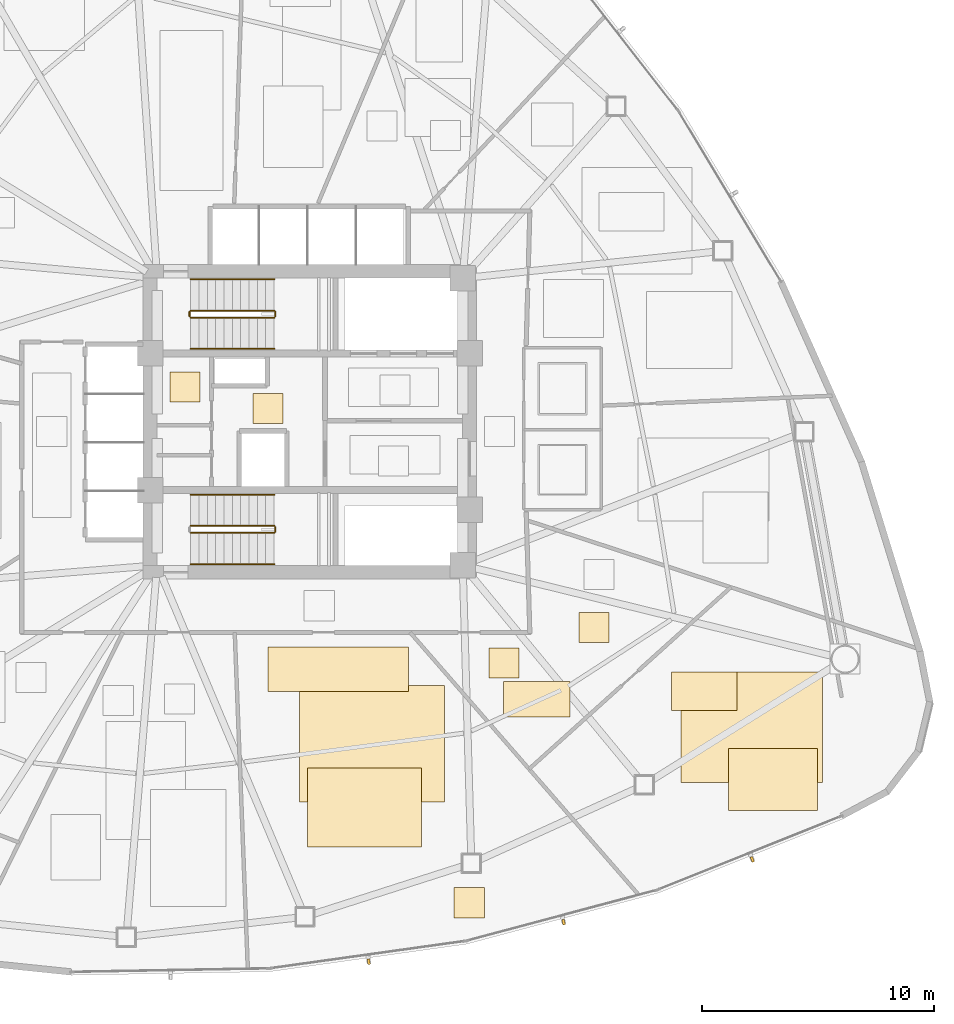
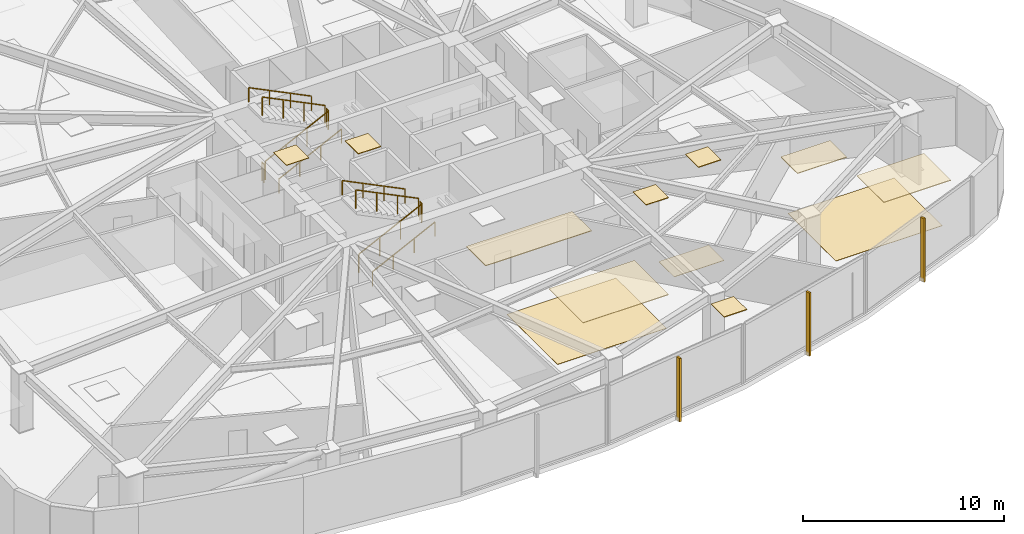
# One storey, part 15 of 17: 12 coverings, 11 railings, 3 shading devices.
"""IFC4 building model written with IfcOpenShell, lengths in metres."""

import ifcopenshell
import ifcopenshell.guid

model = None  # the IFC model being written
_history = None  # IfcOwnerHistory: only IFC2X3 demands one
_inside = {}  # id of a spatial element -> (the spatial element, [elements in it])
_under = {}  # id of a project, library or spatial element -> (it, [spatial elements below it])
_declared = {}  # id of a project -> (the project, [libraries it declares])
_typed = {}  # id of a type object -> (the type object, [elements of that type])
_made_of = {}  # id of a material, layer set ... -> (it, [elements and type objects made of it])


def new_model(schema):
    """Start an empty IFC model of exactly this schema.

    Asked for "IFC4X3", IfcOpenShell would pick the latest addendum, in which some entities
    have other attributes; the version numbers below select the first issue.
    IFC2X3 requires an IfcOwnerHistory on every rooted entity: one is made here for all.
    """
    global model, _history
    if schema == "IFC4X3":
        model = ifcopenshell.file(schema_version=(4, 3, 0, 0))
    else:
        model = ifcopenshell.file(schema=schema)
    _inside.clear()
    _under.clear()
    _declared.clear()
    _typed.clear()
    _made_of.clear()
    _history = None
    if model.schema == "IFC2X3":
        org = make("IfcOrganization", Name="unknown")
        user = make(
            "IfcPersonAndOrganization",
            ThePerson=make("IfcPerson", FamilyName="unknown"),
            TheOrganization=org,
        )
        app = make(
            "IfcApplication",
            ApplicationDeveloper=org,
            Version="unknown",
            ApplicationFullName="unknown",
            ApplicationIdentifier="unknown",
        )
        _history = make(
            "IfcOwnerHistory",
            OwningUser=user,
            OwningApplication=app,
            ChangeAction="ADDED",
            CreationDate=0,
        )
    return model


def make(cls, **values):
    """One entity of the class cls with the attributes given. An attribute that is None is left unset."""
    return model.create_entity(
        cls, **{name: value for name, value in values.items() if value is not None}
    )


def rooted(cls, **values):
    """An entity with a GlobalId (a new one), such as an element, a storey or a relation."""
    return make(cls, GlobalId=ifcopenshell.guid.new(), OwnerHistory=_history, **values)


def si_unit(unit_type, name, prefix=None):
    """IfcSIUnit, for example si_unit("LENGTHUNIT", "METRE", prefix="MILLI")."""
    return make("IfcSIUnit", UnitType=unit_type, Prefix=prefix, Name=name)


def assignment(units):
    """IfcUnitAssignment: the units of a project."""
    return None if units is None else make("IfcUnitAssignment", Units=units)


def point(xyz):
    """IfcCartesianPoint."""
    return None if xyz is None else make("IfcCartesianPoint", Coordinates=xyz)


def direction(xyz):
    """IfcDirection."""
    return None if xyz is None else make("IfcDirection", DirectionRatios=xyz)


def frame(location, z_axis=None, x_axis=None):
    """IfcAxis2Placement3D, a coordinate frame: its origin and axes. An axis left out is left unset."""
    return make(
        "IfcAxis2Placement3D",
        Location=point(location),
        Axis=direction(z_axis),
        RefDirection=direction(x_axis),
    )


def frame_2d(location, x_axis=None):
    """IfcAxis2Placement2D, a coordinate frame in the plane: its origin and x axis."""
    return make(
        "IfcAxis2Placement2D", Location=point(location), RefDirection=direction(x_axis)
    )


def origin():
    """The frame at (0, 0, 0) with its axes left unset."""
    return frame((0.0, 0.0, 0.0))


def origin_2d():
    """The frame at (0, 0) in the plane with its x axis left unset."""
    return frame_2d((0.0, 0.0))


def place(relative_to, where):
    """IfcLocalPlacement: puts the frame where relative to a parent placement (None: the world)."""
    return make(
        "IfcLocalPlacement", PlacementRelTo=relative_to, RelativePlacement=where
    )


def context(
    kind, dimensions, precision=None, world=None, true_north=None, identifier=None
):
    """IfcGeometricRepresentationContext, for example the 3D "Model" context."""
    return make(
        "IfcGeometricRepresentationContext",
        ContextIdentifier=identifier,
        ContextType=kind,
        CoordinateSpaceDimension=dimensions,
        Precision=precision,
        WorldCoordinateSystem=world,
        TrueNorth=true_north,
    )


def subcontext(parent, identifier, kind, view, scale=None):
    """IfcGeometricRepresentationSubContext, for example "Body" below "Model"."""
    return make(
        "IfcGeometricRepresentationSubContext",
        ContextIdentifier=identifier,
        ContextType=kind,
        ParentContext=parent,
        TargetScale=scale,
        TargetView=view,
    )


def project(units=None, contexts=None):
    """IfcProject with its units and contexts."""
    return rooted(
        "IfcProject",
        Name="project",
        RepresentationContexts=contexts,
        UnitsInContext=assignment(units),
    )


def spatial(cls, under=None, at=None, **own):
    """A site, building, storey or space (cls), placed at a placement, below another one or the project."""
    s = rooted(cls, ObjectPlacement=at, **own)
    if under is not None:
        _under.setdefault(under.id(), (under, []))[1].append(s)
    return s


def polyline(points):
    """IfcPolyline through the points."""
    return make("IfcPolyline", Points=[point(p) for p in points])


def profile(cls, at=None, kind="AREA", **sizes):
    """A parametric profile (cls). Its sizes go by their IFC names, for example OverallWidth=200.0."""
    return make(cls, ProfileType=kind, Position=at, **sizes)


def rectangle(**sizes):
    """IfcRectangleProfileDef."""
    return profile("IfcRectangleProfileDef", **sizes)


def outline(outer, holes=None, kind="AREA"):
    """IfcArbitraryClosedProfileDef: a profile drawn as a closed curve; with holes, ...WithVoids."""
    if holes is None:
        return make("IfcArbitraryClosedProfileDef", ProfileType=kind, OuterCurve=outer)
    return make(
        "IfcArbitraryProfileDefWithVoids",
        ProfileType=kind,
        OuterCurve=outer,
        InnerCurves=holes,
    )


def extrude(swept, where, along, depth):
    """IfcExtrudedAreaSolid: the profile swept, set in the frame where, extruded along a direction by depth."""
    return make(
        "IfcExtrudedAreaSolid",
        SweptArea=swept,
        Position=where,
        ExtrudedDirection=direction(along),
        Depth=depth,
    )


def shape(context_of_items, identifier, shape_type, items):
    """IfcShapeRepresentation: the items that make up one representation, for example the "Body"."""
    return make(
        "IfcShapeRepresentation",
        ContextOfItems=context_of_items,
        RepresentationIdentifier=identifier,
        RepresentationType=shape_type,
        Items=items,
    )


def source(mapping_origin, context_of_items, identifier, shape_type, items):
    """IfcRepresentationMap: a shape defined once, which mapped items show again and again."""
    return make(
        "IfcRepresentationMap",
        MappingOrigin=mapping_origin,
        MappedRepresentation=shape(context_of_items, identifier, shape_type, items),
    )


def transform(
    local_origin,
    x_axis=None,
    y_axis=None,
    z_axis=None,
    scale=None,
    scale2=None,
    scale3=None,
    uniform=True,
):
    """IfcCartesianTransformationOperator3D, or its non-uniform kind. x_axis, y_axis, z_axis: its Axis1, 2, 3."""
    if uniform:
        return make(
            "IfcCartesianTransformationOperator3D",
            Axis1=direction(x_axis),
            Axis2=direction(y_axis),
            LocalOrigin=point(local_origin),
            Scale=scale,
            Axis3=direction(z_axis),
        )
    return make(
        "IfcCartesianTransformationOperator3DnonUniform",
        Axis1=direction(x_axis),
        Axis2=direction(y_axis),
        LocalOrigin=point(local_origin),
        Scale=scale,
        Axis3=direction(z_axis),
        Scale2=scale2,
        Scale3=scale3,
    )


def mapped(mapping_source, mapping_target):
    """IfcMappedItem: shows the shape of a source again, moved by a transform."""
    return make(
        "IfcMappedItem", MappingSource=mapping_source, MappingTarget=mapping_target
    )


def material(Name=None, Category=None):
    """IfcMaterial."""
    return make("IfcMaterial", Name=Name, Category=Category)


def layer(
    of_material, thickness, ventilated=None, Name=None, Category=None, Priority=None
):
    """IfcMaterialLayer: one layer of a wall or slab, of a material (None: an air gap)."""
    return make(
        "IfcMaterialLayer",
        Material=of_material,
        LayerThickness=thickness,
        IsVentilated=ventilated,
        Name=Name,
        Category=Category,
        Priority=Priority,
    )


def layer_set(layers, Name=None):
    """IfcMaterialLayerSet."""
    return make("IfcMaterialLayerSet", MaterialLayers=layers, LayerSetName=Name)


def made_of(thing, what):
    """Note that an element or type object is made of a material, layer set ...; save() writes the relation."""
    if what is not None:
        _made_of.setdefault(what.id(), (what, []))[1].append(thing)
    return thing


def type_object(cls, material=None, **own):
    """A type object (cls), such as IfcWallType, which elements share."""
    return made_of(rooted(cls, **own), material)


def type_shapes(of_type, sources):
    """Give a type object the sources (RepresentationMaps) that its elements show as mapped items."""
    of_type.RepresentationMaps = sources


def element(
    cls,
    number,
    at=None,
    inside=None,
    cuts=None,
    type_object=None,
    material=None,
    context=None,
    identifier="Body",
    shape_type=None,
    held_by="IfcProductDefinitionShape",
    body=None,
    shapes=None,
    **own,
):
    """One element of the class cls, such as IfcWall. Its Tag is "e" and its number.

    at: its placement. inside: the storey or other place that contains it. cuts: it is an
    opening in that element (IfcRelVoidsElement). A single representation is given by context,
    identifier, shape_type and body (its items); several are given by shapes. held_by: the class
    of the entity that holds the representations. save() writes the other relations.
    """
    e = rooted(cls, Tag="e%d" % number, ObjectPlacement=at, **own)
    if body is not None:
        shapes = [shape(context, identifier, shape_type, body)]
    if shapes is not None:
        e.Representation = make(held_by, Representations=shapes)
    if inside is not None:
        _inside.setdefault(inside.id(), (inside, []))[1].append(e)
    if cuts is not None:
        rooted(
            "IfcRelVoidsElement", RelatingBuildingElement=cuts, RelatedOpeningElement=e
        )
    if type_object is not None:
        _typed.setdefault(type_object.id(), (type_object, []))[1].append(e)
    return made_of(e, material)


def aggregate(whole, parts):
    """IfcRelAggregates: a whole, such as a stair, and the parts it consists of."""
    return rooted("IfcRelAggregates", RelatingObject=whole, RelatedObjects=parts)


def save(model, path):
    """Write the relations noted so far, then the file.

    IfcRelAggregates (storeys below a building ...), IfcRelContainedInSpatialStructure (elements
    in a storey), IfcRelDefinesByType, IfcRelAssociatesMaterial and IfcRelDeclares: one each for
    every whole, place, type object, material and project.
    """
    for whole, parts in _under.values():
        aggregate(whole, parts)
    for where, things in _inside.values():
        rooted(
            "IfcRelContainedInSpatialStructure",
            RelatedElements=things,
            RelatingStructure=where,
        )
    for kind, things in _typed.values():
        rooted("IfcRelDefinesByType", RelatedObjects=things, RelatingType=kind)
    for what, things in _made_of.values():
        rooted("IfcRelAssociatesMaterial", RelatedObjects=things, RelatingMaterial=what)
    for by, libraries in _declared.values():
        rooted("IfcRelDeclares", RelatingContext=by, RelatedDefinitions=libraries)
    model.write(path)


model = new_model("IFC4")

# Units and contexts
model_context = context("Model", 3, precision=1e-05, world=origin(), true_north=direction((0.0, 1.0)))
body_context = subcontext(model_context, "Body", "Model", "MODEL_VIEW")
ifc_project = project(units=[si_unit("LENGTHUNIT", "METRE"), si_unit("AREAUNIT", "SQUARE_METRE"), si_unit("VOLUMEUNIT", "CUBIC_METRE"), si_unit("PLANEANGLEUNIT", "RADIAN"), si_unit("MASSUNIT", "GRAM", prefix="KILO")], contexts=[model_context])

# Site, building, storey
site_placement = place(None, origin())
site = spatial("IfcSite", under=ifc_project, at=site_placement, CompositionType="ELEMENT")
building_placement = place(site_placement, origin())
building = spatial("IfcBuilding", under=site, at=building_placement, Name="Tavelor Broadcast Tower", CompositionType="ELEMENT")
storey_placement = place(building_placement, frame((0.0, 0.0, 43.199951171875)))
storey = spatial("IfcBuildingStorey", under=building, at=storey_placement, Name="L09", CompositionType="ELEMENT", Elevation=43.199951171875)

# Railings
ifc_material_1 = material(Name="Steel S355", Category="steel")
railing_type_1 = type_object("IfcRailingType", Name="Continuous Brushed Stainless Handrail 900 mm", PredefinedType="HANDRAIL", material=ifc_material_1)
railing_1_placement = place(storey_placement, frame((44.85009765625, 48.14990234375, 0.17724609375)))
element("IfcRailing", 1, at=railing_1_placement, inside=storey, type_object=railing_type_1, Name="L09 ST1 stair handrail 1", PredefinedType="HANDRAIL", context=body_context, shape_type="SweptSolid", body=[
    extrude(rectangle(XDim=0.048095703125, YDim=0.048095703125, at=origin_2d()), frame((0.0, 0.0, 0.8759765625), z_axis=(0.897124305991, 0.0, 0.441778201817), x_axis=(0.0, 1.0, 0.0)), (0.0, 0.0, 1.0), 4.0126953125),
    extrude(rectangle(XDim=0.0419921875, YDim=0.0419921875, at=origin_2d()), origin(), (0.0, 0.0, 1.0), 0.851806640625),
    extrude(rectangle(XDim=0.0419921875, YDim=0.0419921875, at=origin_2d()), frame((1.199951171875, 0.0, 0.5908203125)), (0.0, 0.0, 1.0), 0.851806640625),
    extrude(rectangle(XDim=0.0419921875, YDim=0.0419921875, at=origin_2d()), frame((2.39990234375, 0.0, 1.181884765625)), (0.0, 0.0, 1.0), 0.851806640625),
    extrude(rectangle(XDim=0.0419921875, YDim=0.0419921875, at=origin_2d()), frame((3.599853515625, 0.0, 1.772705078125)), (0.0, 0.0, 1.0), 0.851806640625),
])
railing_2_placement = place(storey_placement, frame((48.449951171875, 51.14990234375, 2.12744140625)))
element("IfcRailing", 2, at=railing_2_placement, inside=storey, type_object=railing_type_1, Name="L09 ST1 stair handrail 2", PredefinedType="HANDRAIL", context=body_context, shape_type="SweptSolid", body=[
    extrude(rectangle(XDim=0.048095703125, YDim=0.048095703125, at=origin_2d()), frame((0.0, 0.0, 0.8759765625), z_axis=(-0.897124305991, 0.0, 0.441778201817), x_axis=(0.0, -1.0, 0.0)), (0.0, 0.0, 1.0), 4.0126953125),
    extrude(rectangle(XDim=0.0419921875, YDim=0.0419921875, at=origin_2d()), origin(), (0.0, 0.0, 1.0), 0.851806640625),
    extrude(rectangle(XDim=0.0419921875, YDim=0.0419921875, at=origin_2d()), frame((-1.199951171875, 0.0, 0.5908203125)), (0.0, 0.0, 1.0), 0.851806640625),
    extrude(rectangle(XDim=0.0419921875, YDim=0.0419921875, at=origin_2d()), frame((-2.39990234375, 0.0, 1.181884765625)), (0.0, 0.0, 1.0), 0.851806640625),
    extrude(rectangle(XDim=0.0419921875, YDim=0.0419921875, at=origin_2d()), frame((-3.599853515625, 0.0, 1.772705078125)), (0.0, 0.0, 1.0), 0.851806640625),
])
railing_3_placement = place(storey_placement, frame((44.85009765625, 38.85009765625, 0.17724609375)))
element("IfcRailing", 3, at=railing_3_placement, inside=storey, type_object=railing_type_1, Name="L09 ST2 stair handrail 1", PredefinedType="HANDRAIL", context=body_context, shape_type="SweptSolid", body=[
    extrude(rectangle(XDim=0.048095703125, YDim=0.048095703125, at=origin_2d()), frame((0.0, 0.0, 0.8759765625), z_axis=(0.897124305991, 0.0, 0.441778201817), x_axis=(0.0, 1.0, 0.0)), (0.0, 0.0, 1.0), 4.0126953125),
    extrude(rectangle(XDim=0.0419921875, YDim=0.0419921875, at=origin_2d()), origin(), (0.0, 0.0, 1.0), 0.851806640625),
    extrude(rectangle(XDim=0.0419921875, YDim=0.0419921875, at=origin_2d()), frame((1.199951171875, 0.0, 0.5908203125)), (0.0, 0.0, 1.0), 0.851806640625),
    extrude(rectangle(XDim=0.0419921875, YDim=0.0419921875, at=origin_2d()), frame((2.39990234375, 0.0, 1.181884765625)), (0.0, 0.0, 1.0), 0.851806640625),
    extrude(rectangle(XDim=0.0419921875, YDim=0.0419921875, at=origin_2d()), frame((3.599853515625, 0.0, 1.772705078125)), (0.0, 0.0, 1.0), 0.851806640625),
])
railing_4_placement = place(storey_placement, frame((48.449951171875, 41.85009765625, 2.12744140625)))
element("IfcRailing", 4, at=railing_4_placement, inside=storey, type_object=railing_type_1, Name="L09 ST2 stair handrail 2", PredefinedType="HANDRAIL", context=body_context, shape_type="SweptSolid", body=[
    extrude(rectangle(XDim=0.048095703125, YDim=0.048095703125, at=origin_2d()), frame((0.0, 0.0, 0.8759765625), z_axis=(-0.897124305991, 0.0, 0.441778201817), x_axis=(0.0, -1.0, 0.0)), (0.0, 0.0, 1.0), 4.0126953125),
    extrude(rectangle(XDim=0.0419921875, YDim=0.0419921875, at=origin_2d()), origin(), (0.0, 0.0, 1.0), 0.851806640625),
    extrude(rectangle(XDim=0.0419921875, YDim=0.0419921875, at=origin_2d()), frame((-1.199951171875, 0.0, 0.5908203125)), (0.0, 0.0, 1.0), 0.851806640625),
    extrude(rectangle(XDim=0.0419921875, YDim=0.0419921875, at=origin_2d()), frame((-2.39990234375, 0.0, 1.181884765625)), (0.0, 0.0, 1.0), 0.851806640625),
    extrude(rectangle(XDim=0.0419921875, YDim=0.0419921875, at=origin_2d()), frame((-3.599853515625, 0.0, 1.772705078125)), (0.0, 0.0, 1.0), 0.851806640625),
])

# Coverings
ifc_material_2 = material(Name="Acoustic Nylon Carpet Tile")
ifc_layer_1 = layer(ifc_material_2, 0.02001953125)
ifc_layer_set_1 = layer_set([ifc_layer_1], Name="Acoustic Nylon Carpet Tile")
covering_type_1 = type_object("IfcCoveringType", Name="Heavy-Duty Acoustic Broadcast Carpet Tile 20 mm", PredefinedType="FLOORING", material=ifc_layer_set_1)
covering_1_placement = place(storey_placement, origin())
element("IfcCovering", 5, at=covering_1_placement, inside=storey, type_object=covering_type_1, Name="L09 Broadcast Floor Finish 0107", PredefinedType="FLOORING", context=body_context, shape_type="SweptSolid", body=[
    extrude(outline(polyline([(49.545166015625, 28.576904296875), (55.811279296875, 28.576904296875), (55.811279296875, 33.599609375), (49.545166015625, 33.599609375), (49.545166015625, 28.576904296875)])), origin(), (0.0, 0.0, 1.0), 0.02001953125),
])
covering_2_placement = place(storey_placement, origin())
element("IfcCovering", 6, at=covering_2_placement, inside=storey, type_object=covering_type_1, Name="L09 Broadcast Floor Finish 0117", PredefinedType="FLOORING", context=body_context, shape_type="SweptSolid", body=[
    extrude(outline(polyline([(66.020751953125, 29.42236328125), (72.1337890625, 29.42236328125), (72.1337890625, 34.1953125), (66.020751953125, 34.1953125), (66.020751953125, 29.42236328125)])), origin(), (0.0, 0.0, 1.0), 0.02001953125),
])
covering_3_placement = place(storey_placement, origin())
element("IfcCovering", 7, at=covering_3_placement, inside=storey, type_object=covering_type_1, Name="L09 Broadcast Floor Finish 0118", PredefinedType="FLOORING", context=body_context, shape_type="SweptSolid", body=[
    extrude(outline(polyline([(58.370361328125, 32.24365234375), (61.231201171875, 32.24365234375), (61.231201171875, 33.7802734375), (58.370361328125, 33.7802734375), (58.370361328125, 32.24365234375)])), origin(), (0.0, 0.0, 1.0), 0.02001953125),
])
ifc_material_3 = material(Name="Architectural Anodized Aluminium", Category="aluminium")
ifc_layer_2 = layer(ifc_material_3, 0.030029296875)
ifc_layer_set_2 = layer_set([ifc_layer_2], Name="Architectural Anodized Aluminium")
covering_type_2 = type_object("IfcCoveringType", Name="Moisture-Resistant Washroom Ceiling 30 mm", PredefinedType="CEILING", material=ifc_layer_set_2)
covering_4_placement = place(storey_placement, frame((0.0, 0.0, 3.570068359375)))
element("IfcCovering", 8, at=covering_4_placement, inside=storey, type_object=covering_type_2, Name="L09 Suspended Acoustic Ceiling 0300", PredefinedType="CEILING", context=body_context, shape_type="SweptSolid", body=[
    extrude(outline(polyline([(43.951416015625, 45.843017578125), (45.25146484375, 45.843017578125), (45.25146484375, 47.14306640625), (43.951416015625, 47.14306640625), (43.951416015625, 45.843017578125)])), origin(), (0.0, 0.0, 1.0), 0.030029296875),
])

# Railings
railing_type_2 = type_object("IfcRailingType", Name="Stairwell Steel Safety Guardrail 1150 mm", PredefinedType="GUARDRAIL", material=ifc_material_1)
railing_5_placement = place(storey_placement, frame((44.85009765625, 49.5, 0.17724609375)))
element("IfcRailing", 9, at=railing_5_placement, inside=storey, type_object=railing_type_2, Name="L09 ST1 stair guard 1", PredefinedType="GUARDRAIL", context=body_context, shape_type="SweptSolid", body=[
    extrude(rectangle(XDim=0.048095703125, YDim=0.048095703125, at=origin_2d()), frame((0.0, 0.0, 1.1259765625), z_axis=(0.897124305991, 0.0, 0.441778201817), x_axis=(0.0, 1.0, 0.0)), (0.0, 0.0, 1.0), 4.0126953125),
    extrude(rectangle(XDim=0.0419921875, YDim=0.0419921875, at=origin_2d()), origin(), (0.0, 0.0, 1.0), 1.101806640625),
    extrude(rectangle(XDim=0.0419921875, YDim=0.0419921875, at=origin_2d()), frame((1.199951171875, 0.0, 0.5908203125)), (0.0, 0.0, 1.0), 1.101806640625),
    extrude(rectangle(XDim=0.0419921875, YDim=0.0419921875, at=origin_2d()), frame((2.39990234375, 0.0, 1.181884765625)), (0.0, 0.0, 1.0), 1.101806640625),
    extrude(rectangle(XDim=0.0419921875, YDim=0.0419921875, at=origin_2d()), frame((3.599853515625, 0.0, 1.772705078125)), (0.0, 0.0, 1.0), 1.101806640625),
])
railing_6_placement = place(storey_placement, frame((48.5, 49.550048828125, 1.949951171875)))
element("IfcRailing", 10, at=railing_6_placement, inside=storey, type_object=railing_type_2, Name="L09 ST1 stair guard 2", PredefinedType="GUARDRAIL", context=body_context, shape_type="SweptSolid", body=[
    extrude(rectangle(XDim=0.048095703125, YDim=0.048095703125, at=origin_2d()), frame((0.0, 0.0, 1.1259765625), z_axis=(0.0, 1.0, 0.0), x_axis=(-1.0, 0.0, 0.0)), (0.0, 0.0, 1.0), 0.199951171875),
    extrude(rectangle(XDim=0.0419921875, YDim=0.0419921875, at=origin_2d()), origin(), (0.0, 0.0, 1.0), 1.101806640625),
    extrude(rectangle(XDim=0.0419921875, YDim=0.0419921875, at=origin_2d()), frame((0.0, 0.199951171875, 0.0)), (0.0, 0.0, 1.0), 1.101806640625),
])
railing_7_placement = place(storey_placement, frame((48.449951171875, 49.800048828125, 2.12744140625)))
element("IfcRailing", 11, at=railing_7_placement, inside=storey, type_object=railing_type_2, Name="L09 ST1 stair guard 3", PredefinedType="GUARDRAIL", context=body_context, shape_type="SweptSolid", body=[
    extrude(rectangle(XDim=0.048095703125, YDim=0.048095703125, at=origin_2d()), frame((0.0, 0.0, 1.1259765625), z_axis=(-0.897124305991, 0.0, 0.441778201817), x_axis=(0.0, -1.0, 0.0)), (0.0, 0.0, 1.0), 4.0126953125),
    extrude(rectangle(XDim=0.0419921875, YDim=0.0419921875, at=origin_2d()), origin(), (0.0, 0.0, 1.0), 1.101806640625),
    extrude(rectangle(XDim=0.0419921875, YDim=0.0419921875, at=origin_2d()), frame((-1.199951171875, 0.0, 0.5908203125)), (0.0, 0.0, 1.0), 1.101806640625),
    extrude(rectangle(XDim=0.0419921875, YDim=0.0419921875, at=origin_2d()), frame((-2.39990234375, 0.0, 1.181884765625)), (0.0, 0.0, 1.0), 1.101806640625),
    extrude(rectangle(XDim=0.0419921875, YDim=0.0419921875, at=origin_2d()), frame((-3.599853515625, 0.0, 1.772705078125)), (0.0, 0.0, 1.0), 1.101806640625),
])
railing_8_placement = place(storey_placement, frame((44.800048828125, 49.550048828125, 0.0)))
element("IfcRailing", 12, at=railing_8_placement, inside=storey, type_object=railing_type_2, Name="L09 ST1 stair guard 4", PredefinedType="GUARDRAIL", context=body_context, shape_type="SweptSolid", body=[
    extrude(rectangle(XDim=0.048095703125, YDim=0.048095703125, at=origin_2d()), frame((0.0, 0.0, 1.1259765625), z_axis=(0.0, 1.0, 0.0), x_axis=(-1.0, 0.0, 0.0)), (0.0, 0.0, 1.0), 0.199951171875),
    extrude(rectangle(XDim=0.0419921875, YDim=0.0419921875, at=origin_2d()), origin(), (0.0, 0.0, 1.0), 1.101806640625),
    extrude(rectangle(XDim=0.0419921875, YDim=0.0419921875, at=origin_2d()), frame((0.0, 0.199951171875, 0.0)), (0.0, 0.0, 1.0), 1.101806640625),
])
railing_9_placement = place(storey_placement, frame((44.85009765625, 40.199951171875, 0.17724609375)))
element("IfcRailing", 13, at=railing_9_placement, inside=storey, type_object=railing_type_2, Name="L09 ST2 stair guard 1", PredefinedType="GUARDRAIL", context=body_context, shape_type="SweptSolid", body=[
    extrude(rectangle(XDim=0.048095703125, YDim=0.048095703125, at=origin_2d()), frame((0.0, 0.0, 1.1259765625), z_axis=(0.897124305991, 0.0, 0.441778201817), x_axis=(0.0, 1.0, 0.0)), (0.0, 0.0, 1.0), 4.0126953125),
    extrude(rectangle(XDim=0.0419921875, YDim=0.0419921875, at=origin_2d()), origin(), (0.0, 0.0, 1.0), 1.101806640625),
    extrude(rectangle(XDim=0.0419921875, YDim=0.0419921875, at=origin_2d()), frame((1.199951171875, 0.0, 0.5908203125)), (0.0, 0.0, 1.0), 1.101806640625),
    extrude(rectangle(XDim=0.0419921875, YDim=0.0419921875, at=origin_2d()), frame((2.39990234375, 0.0, 1.181884765625)), (0.0, 0.0, 1.0), 1.101806640625),
    extrude(rectangle(XDim=0.0419921875, YDim=0.0419921875, at=origin_2d()), frame((3.599853515625, 0.0, 1.772705078125)), (0.0, 0.0, 1.0), 1.101806640625),
])
railing_10_placement = place(storey_placement, frame((48.5, 40.25, 1.949951171875)))
element("IfcRailing", 14, at=railing_10_placement, inside=storey, type_object=railing_type_2, Name="L09 ST2 stair guard 2", PredefinedType="GUARDRAIL", context=body_context, shape_type="SweptSolid", body=[
    extrude(rectangle(XDim=0.048095703125, YDim=0.048095703125, at=origin_2d()), frame((0.0, 0.0, 1.1259765625), z_axis=(0.0, 1.0, 0.0), x_axis=(-1.0, 0.0, 0.0)), (0.0, 0.0, 1.0), 0.199951171875),
    extrude(rectangle(XDim=0.0419921875, YDim=0.0419921875, at=origin_2d()), origin(), (0.0, 0.0, 1.0), 1.101806640625),
    extrude(rectangle(XDim=0.0419921875, YDim=0.0419921875, at=origin_2d()), frame((0.0, 0.199951171875, 0.0)), (0.0, 0.0, 1.0), 1.101806640625),
])
railing_11_placement = place(storey_placement, frame((48.449951171875, 40.5, 2.12744140625)))
element("IfcRailing", 15, at=railing_11_placement, inside=storey, type_object=railing_type_2, Name="L09 ST2 stair guard 3", PredefinedType="GUARDRAIL", context=body_context, shape_type="SweptSolid", body=[
    extrude(rectangle(XDim=0.048095703125, YDim=0.048095703125, at=origin_2d()), frame((0.0, 0.0, 1.1259765625), z_axis=(-0.897124305991, 0.0, 0.441778201817), x_axis=(0.0, -1.0, 0.0)), (0.0, 0.0, 1.0), 4.0126953125),
    extrude(rectangle(XDim=0.0419921875, YDim=0.0419921875, at=origin_2d()), origin(), (0.0, 0.0, 1.0), 1.101806640625),
    extrude(rectangle(XDim=0.0419921875, YDim=0.0419921875, at=origin_2d()), frame((-1.199951171875, 0.0, 0.5908203125)), (0.0, 0.0, 1.0), 1.101806640625),
    extrude(rectangle(XDim=0.0419921875, YDim=0.0419921875, at=origin_2d()), frame((-2.39990234375, 0.0, 1.181884765625)), (0.0, 0.0, 1.0), 1.101806640625),
    extrude(rectangle(XDim=0.0419921875, YDim=0.0419921875, at=origin_2d()), frame((-3.599853515625, 0.0, 1.772705078125)), (0.0, 0.0, 1.0), 1.101806640625),
])

# Coverings
ifc_material_4 = material(Name="Acoustic Mineral Fibre Tile")
ifc_layer_3 = layer(ifc_material_4, 0.0400390625)
ifc_layer_set_3 = layer_set([ifc_layer_3], Name="Acoustic Mineral Fibre Tile")
covering_type_3 = type_object("IfcCoveringType", Name="Suspended Acoustic Mineral-Fibre Office Ceiling 40 mm", PredefinedType="CEILING", material=ifc_layer_set_3)
covering_5_placement = place(storey_placement, frame((0.0, 0.0, 3.56005859375)))
element("IfcCovering", 16, at=covering_5_placement, inside=storey, type_object=covering_type_3, Name="L09 Suspended Acoustic Ceiling 0299", PredefinedType="CEILING", context=body_context, shape_type="SweptSolid", body=[
    extrude(outline(polyline([(47.544921875, 44.919921875), (48.844970703125, 44.919921875), (48.844970703125, 46.219970703125), (47.544921875, 46.219970703125), (47.544921875, 44.919921875)])), origin(), (0.0, 0.0, 1.0), 0.0400390625),
])
covering_6_placement = place(storey_placement, frame((0.0, 0.0, 3.56005859375)))
element("IfcCovering", 17, at=covering_6_placement, inside=storey, type_object=covering_type_3, Name="L09 Suspended Acoustic Ceiling 0306", PredefinedType="CEILING", context=body_context, shape_type="SweptSolid", body=[
    extrude(outline(polyline([(48.1826171875, 33.3515625), (54.263671875, 33.3515625), (54.263671875, 35.2783203125), (48.1826171875, 35.2783203125), (48.1826171875, 33.3515625)])), origin(), (0.0, 0.0, 1.0), 0.0400390625),
])
covering_7_placement = place(storey_placement, frame((0.0, 0.0, 3.56005859375)))
element("IfcCovering", 18, at=covering_7_placement, inside=storey, type_object=covering_type_3, Name="L09 Suspended Acoustic Ceiling 0307", PredefinedType="CEILING", context=body_context, shape_type="SweptSolid", body=[
    extrude(outline(polyline([(56.234375, 23.571533203125), (57.534423828125, 23.571533203125), (57.534423828125, 24.87158203125), (56.234375, 24.87158203125), (56.234375, 23.571533203125)])), origin(), (0.0, 0.0, 1.0), 0.0400390625),
])
covering_8_placement = place(storey_placement, frame((0.0, 0.0, 3.56005859375)))
element("IfcCovering", 19, at=covering_8_placement, inside=storey, type_object=covering_type_3, Name="L09 Suspended Acoustic Ceiling 0308", PredefinedType="CEILING", context=body_context, shape_type="SweptSolid", body=[
    extrude(outline(polyline([(49.9033203125, 26.638916015625), (54.817138671875, 26.638916015625), (54.817138671875, 30.0517578125), (49.9033203125, 30.0517578125), (49.9033203125, 26.638916015625)])), origin(), (0.0, 0.0, 1.0), 0.0400390625),
])
covering_9_placement = place(storey_placement, frame((0.0, 0.0, 3.56005859375)))
element("IfcCovering", 20, at=covering_9_placement, inside=storey, type_object=covering_type_3, Name="L09 Suspended Acoustic Ceiling 0337", PredefinedType="CEILING", context=body_context, shape_type="SweptSolid", body=[
    extrude(outline(polyline([(65.61181640625, 32.530029296875), (68.448974609375, 32.530029296875), (68.448974609375, 34.1884765625), (65.61181640625, 34.1884765625), (65.61181640625, 32.530029296875)])), origin(), (0.0, 0.0, 1.0), 0.0400390625),
])
covering_10_placement = place(storey_placement, frame((0.0, 0.0, 3.56005859375)))
element("IfcCovering", 21, at=covering_10_placement, inside=storey, type_object=covering_type_3, Name="L09 Suspended Acoustic Ceiling 0338", PredefinedType="CEILING", context=body_context, shape_type="SweptSolid", body=[
    extrude(outline(polyline([(68.074462890625, 28.207763671875), (71.933837890625, 28.207763671875), (71.933837890625, 30.887451171875), (68.074462890625, 30.887451171875), (68.074462890625, 28.207763671875)])), origin(), (0.0, 0.0, 1.0), 0.0400390625),
])
covering_11_placement = place(storey_placement, frame((0.0, 0.0, 3.56005859375)))
element("IfcCovering", 22, at=covering_11_placement, inside=storey, type_object=covering_type_3, Name="L09 Suspended Acoustic Ceiling 0339", PredefinedType="CEILING", context=body_context, shape_type="SweptSolid", body=[
    extrude(outline(polyline([(61.615966796875, 35.45458984375), (62.916015625, 35.45458984375), (62.916015625, 36.754638671875), (61.615966796875, 36.754638671875), (61.615966796875, 35.45458984375)])), origin(), (0.0, 0.0, 1.0), 0.0400390625),
])
covering_12_placement = place(storey_placement, frame((0.0, 0.0, 3.56005859375)))
element("IfcCovering", 23, at=covering_12_placement, inside=storey, type_object=covering_type_3, Name="L09 Suspended Acoustic Ceiling 0341", PredefinedType="CEILING", context=body_context, shape_type="SweptSolid", body=[
    extrude(outline(polyline([(57.7255859375, 33.928955078125), (59.025634765625, 33.928955078125), (59.025634765625, 35.22900390625), (57.7255859375, 35.22900390625), (57.7255859375, 33.928955078125)])), origin(), (0.0, 0.0, 1.0), 0.0400390625),
])

# Shading devices
ifc_material_5 = material(Name="Kiln-Fired Glazed Terracotta", Category="masonry")
shading_device_type = type_object("IfcShadingDeviceType", Name="Extruded Terracotta Baguette Sun-Screen 110x240", PredefinedType="JALOUSIE", material=ifc_material_5)
shared_shape = source(origin(), body_context, "Body", "SweptSolid", [
    extrude(rectangle(XDim=0.110107421875, YDim=0.239990234375, at=origin_2d()), origin(), (0.0, 0.0, 1.0), 3.840087890625),
])
type_shapes(shading_device_type, [shared_shape])
for number, where, z_axis, x_axis, name in (
    (24, (52.54248046875, 21.68115234375, -0.259765625), (0.0, 0.0, 1.0), (0.990316588987, 0.138827423723, 0.0), "L09 Terracotta Baguette Fin 66"),
    (25, (60.95947265625, 23.385986328125, -0.259765625), (0.0, 0.0, 1.0), (0.966241312443, 0.257638751216, 0.0), "L09 Terracotta Baguette Fin 67"),
    (26, (69.1083984375, 26.096923828125, -0.259765625), (0.0, 0.0, 1.0), (0.927966394667, 0.372663883908, 0.0), "L09 Terracotta Baguette Fin 68"),
):
    element("IfcShadingDevice", number, at=place(storey_placement, frame(where, z_axis=z_axis, x_axis=x_axis)), inside=storey, type_object=shading_device_type, Name=name, PredefinedType="JALOUSIE", context=body_context, shape_type="MappedRepresentation", body=[
        mapped(shared_shape, transform((0.0, 0.0, 0.0), scale=1.0)),
    ])

save(model, "model.ifc")
